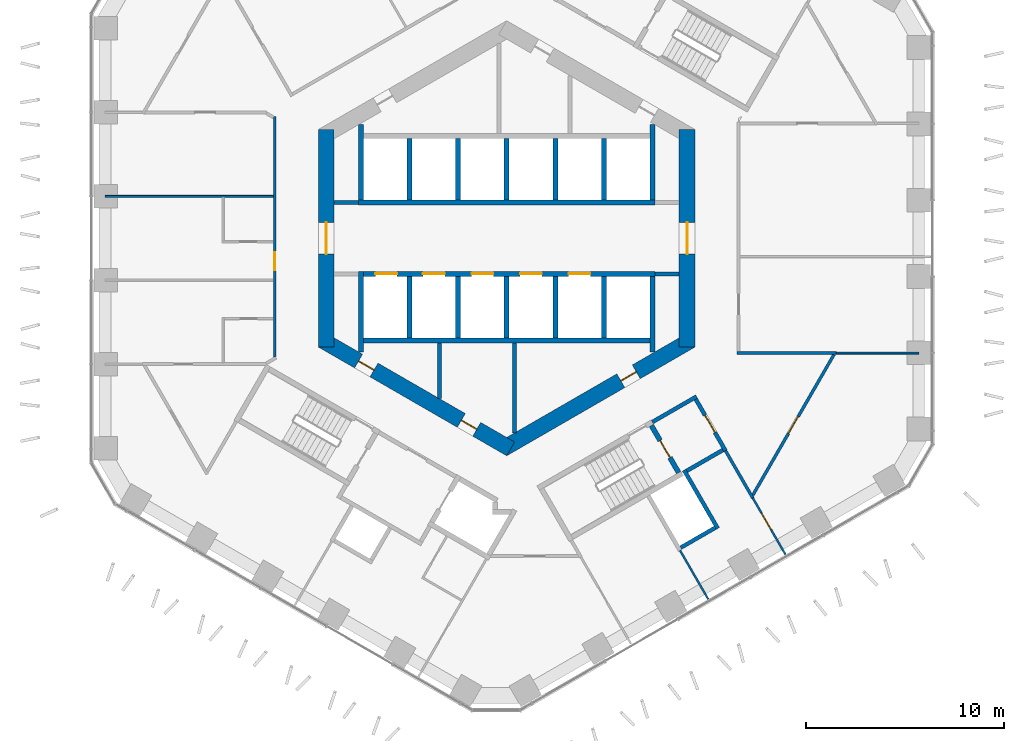
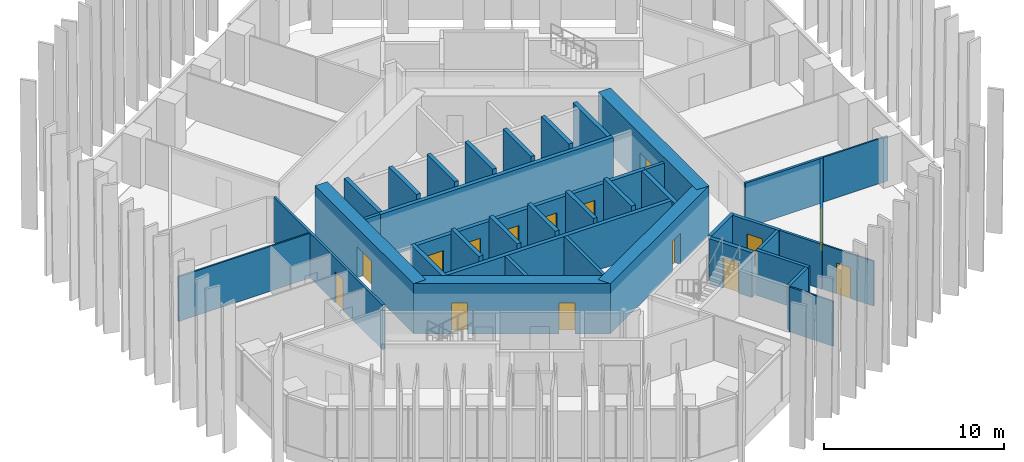
# One storey, part 13 of 19: 39 walls, 15 doors, 15 openings.
"""IFC4 building model written with IfcOpenShell, lengths in metres."""

import ifcopenshell
import ifcopenshell.guid

model = None  # the IFC model being written
_history = None  # IfcOwnerHistory: only IFC2X3 demands one
_inside = {}  # id of a spatial element -> (the spatial element, [elements in it])
_under = {}  # id of a project, library or spatial element -> (it, [spatial elements below it])
_declared = {}  # id of a project -> (the project, [libraries it declares])
_typed = {}  # id of a type object -> (the type object, [elements of that type])
_made_of = {}  # id of a material, layer set ... -> (it, [elements and type objects made of it])


def new_model(schema):
    """Start an empty IFC model of exactly this schema.

    Asked for "IFC4X3", IfcOpenShell would pick the latest addendum, in which some entities
    have other attributes; the version numbers below select the first issue.
    IFC2X3 requires an IfcOwnerHistory on every rooted entity: one is made here for all.
    """
    global model, _history
    if schema == "IFC4X3":
        model = ifcopenshell.file(schema_version=(4, 3, 0, 0))
    else:
        model = ifcopenshell.file(schema=schema)
    _inside.clear()
    _under.clear()
    _declared.clear()
    _typed.clear()
    _made_of.clear()
    _history = None
    if model.schema == "IFC2X3":
        org = make("IfcOrganization", Name="unknown")
        user = make(
            "IfcPersonAndOrganization",
            ThePerson=make("IfcPerson", FamilyName="unknown"),
            TheOrganization=org,
        )
        app = make(
            "IfcApplication",
            ApplicationDeveloper=org,
            Version="unknown",
            ApplicationFullName="unknown",
            ApplicationIdentifier="unknown",
        )
        _history = make(
            "IfcOwnerHistory",
            OwningUser=user,
            OwningApplication=app,
            ChangeAction="ADDED",
            CreationDate=0,
        )
    return model


def make(cls, **values):
    """One entity of the class cls with the attributes given. An attribute that is None is left unset."""
    return model.create_entity(
        cls, **{name: value for name, value in values.items() if value is not None}
    )


def rooted(cls, **values):
    """An entity with a GlobalId (a new one), such as an element, a storey or a relation."""
    return make(cls, GlobalId=ifcopenshell.guid.new(), OwnerHistory=_history, **values)


def si_unit(unit_type, name, prefix=None):
    """IfcSIUnit, for example si_unit("LENGTHUNIT", "METRE", prefix="MILLI")."""
    return make("IfcSIUnit", UnitType=unit_type, Prefix=prefix, Name=name)


def assignment(units):
    """IfcUnitAssignment: the units of a project."""
    return None if units is None else make("IfcUnitAssignment", Units=units)


def point(xyz):
    """IfcCartesianPoint."""
    return None if xyz is None else make("IfcCartesianPoint", Coordinates=xyz)


def direction(xyz):
    """IfcDirection."""
    return None if xyz is None else make("IfcDirection", DirectionRatios=xyz)


def frame(location, z_axis=None, x_axis=None):
    """IfcAxis2Placement3D, a coordinate frame: its origin and axes. An axis left out is left unset."""
    return make(
        "IfcAxis2Placement3D",
        Location=point(location),
        Axis=direction(z_axis),
        RefDirection=direction(x_axis),
    )


def frame_2d(location, x_axis=None):
    """IfcAxis2Placement2D, a coordinate frame in the plane: its origin and x axis."""
    return make(
        "IfcAxis2Placement2D", Location=point(location), RefDirection=direction(x_axis)
    )


def origin():
    """The frame at (0, 0, 0) with its axes left unset."""
    return frame((0.0, 0.0, 0.0))


def place(relative_to, where):
    """IfcLocalPlacement: puts the frame where relative to a parent placement (None: the world)."""
    return make(
        "IfcLocalPlacement", PlacementRelTo=relative_to, RelativePlacement=where
    )


def context(
    kind, dimensions, precision=None, world=None, true_north=None, identifier=None
):
    """IfcGeometricRepresentationContext, for example the 3D "Model" context."""
    return make(
        "IfcGeometricRepresentationContext",
        ContextIdentifier=identifier,
        ContextType=kind,
        CoordinateSpaceDimension=dimensions,
        Precision=precision,
        WorldCoordinateSystem=world,
        TrueNorth=true_north,
    )


def subcontext(parent, identifier, kind, view, scale=None):
    """IfcGeometricRepresentationSubContext, for example "Body" below "Model"."""
    return make(
        "IfcGeometricRepresentationSubContext",
        ContextIdentifier=identifier,
        ContextType=kind,
        ParentContext=parent,
        TargetScale=scale,
        TargetView=view,
    )


def project(units=None, contexts=None):
    """IfcProject with its units and contexts."""
    return rooted(
        "IfcProject",
        Name="project",
        RepresentationContexts=contexts,
        UnitsInContext=assignment(units),
    )


def spatial(cls, under=None, at=None, **own):
    """A site, building, storey or space (cls), placed at a placement, below another one or the project."""
    s = rooted(cls, ObjectPlacement=at, **own)
    if under is not None:
        _under.setdefault(under.id(), (under, []))[1].append(s)
    return s


def profile(cls, at=None, kind="AREA", **sizes):
    """A parametric profile (cls). Its sizes go by their IFC names, for example OverallWidth=200.0."""
    return make(cls, ProfileType=kind, Position=at, **sizes)


def rectangle(**sizes):
    """IfcRectangleProfileDef."""
    return profile("IfcRectangleProfileDef", **sizes)


def extrude(swept, where, along, depth):
    """IfcExtrudedAreaSolid: the profile swept, set in the frame where, extruded along a direction by depth."""
    return make(
        "IfcExtrudedAreaSolid",
        SweptArea=swept,
        Position=where,
        ExtrudedDirection=direction(along),
        Depth=depth,
    )


def shape(context_of_items, identifier, shape_type, items):
    """IfcShapeRepresentation: the items that make up one representation, for example the "Body"."""
    return make(
        "IfcShapeRepresentation",
        ContextOfItems=context_of_items,
        RepresentationIdentifier=identifier,
        RepresentationType=shape_type,
        Items=items,
    )


def material(Name=None, Category=None):
    """IfcMaterial."""
    return make("IfcMaterial", Name=Name, Category=Category)


def layer(
    of_material, thickness, ventilated=None, Name=None, Category=None, Priority=None
):
    """IfcMaterialLayer: one layer of a wall or slab, of a material (None: an air gap)."""
    return make(
        "IfcMaterialLayer",
        Material=of_material,
        LayerThickness=thickness,
        IsVentilated=ventilated,
        Name=Name,
        Category=Category,
        Priority=Priority,
    )


def layer_set(layers, Name=None):
    """IfcMaterialLayerSet."""
    return make("IfcMaterialLayerSet", MaterialLayers=layers, LayerSetName=Name)


def made_of(thing, what):
    """Note that an element or type object is made of a material, layer set ...; save() writes the relation."""
    if what is not None:
        _made_of.setdefault(what.id(), (what, []))[1].append(thing)
    return thing


def type_object(cls, material=None, **own):
    """A type object (cls), such as IfcWallType, which elements share."""
    return made_of(rooted(cls, **own), material)


def element(
    cls,
    number,
    at=None,
    inside=None,
    cuts=None,
    type_object=None,
    material=None,
    context=None,
    identifier="Body",
    shape_type=None,
    held_by="IfcProductDefinitionShape",
    body=None,
    shapes=None,
    **own,
):
    """One element of the class cls, such as IfcWall. Its Tag is "e" and its number.

    at: its placement. inside: the storey or other place that contains it. cuts: it is an
    opening in that element (IfcRelVoidsElement). A single representation is given by context,
    identifier, shape_type and body (its items); several are given by shapes. held_by: the class
    of the entity that holds the representations. save() writes the other relations.
    """
    e = rooted(cls, Tag="e%d" % number, ObjectPlacement=at, **own)
    if body is not None:
        shapes = [shape(context, identifier, shape_type, body)]
    if shapes is not None:
        e.Representation = make(held_by, Representations=shapes)
    if inside is not None:
        _inside.setdefault(inside.id(), (inside, []))[1].append(e)
    if cuts is not None:
        rooted(
            "IfcRelVoidsElement", RelatingBuildingElement=cuts, RelatedOpeningElement=e
        )
    if type_object is not None:
        _typed.setdefault(type_object.id(), (type_object, []))[1].append(e)
    return made_of(e, material)


def fill(opening, filler):
    """IfcRelFillsElement: the door or window that sits in an opening."""
    return rooted(
        "IfcRelFillsElement",
        RelatingOpeningElement=opening,
        RelatedBuildingElement=filler,
    )


def aggregate(whole, parts):
    """IfcRelAggregates: a whole, such as a stair, and the parts it consists of."""
    return rooted("IfcRelAggregates", RelatingObject=whole, RelatedObjects=parts)


def save(model, path):
    """Write the relations noted so far, then the file.

    IfcRelAggregates (storeys below a building ...), IfcRelContainedInSpatialStructure (elements
    in a storey), IfcRelDefinesByType, IfcRelAssociatesMaterial and IfcRelDeclares: one each for
    every whole, place, type object, material and project.
    """
    for whole, parts in _under.values():
        aggregate(whole, parts)
    for where, things in _inside.values():
        rooted(
            "IfcRelContainedInSpatialStructure",
            RelatedElements=things,
            RelatingStructure=where,
        )
    for kind, things in _typed.values():
        rooted("IfcRelDefinesByType", RelatedObjects=things, RelatingType=kind)
    for what, things in _made_of.values():
        rooted("IfcRelAssociatesMaterial", RelatedObjects=things, RelatingMaterial=what)
    for by, libraries in _declared.values():
        rooted("IfcRelDeclares", RelatingContext=by, RelatedDefinitions=libraries)
    model.write(path)


model = new_model("IFC4")

# Units and contexts
model_context = context("Model", 3, precision=1e-05, world=origin(), true_north=direction((0.0, 1.0)))
body_context = subcontext(model_context, "Body", "Model", "MODEL_VIEW")
ifc_project = project(units=[si_unit("LENGTHUNIT", "METRE"), si_unit("AREAUNIT", "SQUARE_METRE"), si_unit("VOLUMEUNIT", "CUBIC_METRE"), si_unit("PLANEANGLEUNIT", "RADIAN"), si_unit("MASSUNIT", "GRAM", prefix="KILO")], contexts=[model_context])

# Site, building, storey
site_placement = place(None, origin())
site = spatial("IfcSite", under=ifc_project, at=site_placement, CompositionType="ELEMENT")
building_placement = place(site_placement, origin())
building = spatial("IfcBuilding", under=site, at=building_placement, Name="Ayvan Gate Tower", CompositionType="ELEMENT")
storey_placement = place(building_placement, frame((0.0, 0.0, 56.10009765625)))
storey = spatial("IfcBuildingStorey", under=building, at=storey_placement, Name="L14", CompositionType="ELEMENT", Elevation=56.10009765625)

# Wall, opening, door
ifc_material_1 = material(Name="Concrete C70/85", Category="concrete")
ifc_layer_1 = layer(ifc_material_1, 0.800048828125)
ifc_layer_set_1 = layer_set([ifc_layer_1], Name="Concrete C70/85")
wall_type_1 = type_object("IfcWallType", Name="Core wall 800 C70/85", PredefinedType="SHEAR", material=ifc_layer_set_1)
wall_1_placement = place(storey_placement, frame((9.10009765625, -5.48486328125, 0.0), z_axis=(0.0, 0.0, 1.0), x_axis=(0.0, 1.0, 0.0)))
wall_1 = element("IfcWall", 1, at=wall_1_placement, inside=storey, type_object=wall_type_1, Name="CORE-L14-0", PredefinedType="SHEAR", context=body_context, shape_type="SweptSolid", body=[
    extrude(rectangle(XDim=10.9697265625, YDim=0.800048828125, at=frame_2d((5.48486328125, 0.0))), origin(), (0.0, 0.0, 1.0), 3.39990234375),
])
opening_1_placement = place(wall_1_placement, frame((4.684814453125, 0.0, 0.0)))
opening_1 = element("IfcOpeningElement", 2, at=opening_1_placement, cuts=wall_1, Name="Opening L14-D44", PredefinedType="OPENING", context=body_context, shape_type="SweptSolid", body=[
    extrude(rectangle(XDim=1.60009765625, YDim=2.10009765625, at=frame_2d((0.800048828125, 1.050048828125))), frame((0.0, 0.409912109375, 0.0), z_axis=(0.0, -1.0, 0.0), x_axis=(1.0, 0.0, 0.0)), (0.0, 0.0, 1.0), 0.820068359375),
])
ifc_material_2 = material(Name="Timber door leaf", Category="wood")
door_type_1 = type_object("IfcDoorType", Name="DT-1600", OperationType="NOTDEFINED", PredefinedType="DOOR", material=ifc_material_2)
door_1_placement = place(opening_1_placement, origin())
door_1 = element("IfcDoor", 3, at=door_1_placement, inside=storey, type_object=door_type_1, Name="CD-L14-44", OperationType="SINGLE_SWING_RIGHT", OverallHeight=2.10009765625, OverallWidth=1.60009765625, PredefinedType="DOOR", context=body_context, shape_type="SweptSolid", body=[
    extrude(rectangle(XDim=1.60009765625, YDim=2.10009765625, at=frame_2d((0.800048828125, 1.050048828125))), frame((0.0, 0.02490234375, 0.0), z_axis=(0.0, -1.0, 0.0), x_axis=(1.0, 0.0, 0.0)), (0.0, 0.0, 1.0), 0.050048828125),
])
fill(opening_1, door_1)

wall_2_placement = place(storey_placement, frame((-9.10009765625, 5.48486328125, 0.0), z_axis=(0.0, 0.0, 1.0), x_axis=(0.0, -1.0, 0.0)))
wall_2 = element("IfcWall", 4, at=wall_2_placement, inside=storey, type_object=wall_type_1, Name="CORE-L14-3", PredefinedType="SHEAR", context=body_context, shape_type="SweptSolid", body=[
    extrude(rectangle(XDim=10.9697265625, YDim=0.800048828125, at=frame_2d((5.48486328125, 0.0))), origin(), (0.0, 0.0, 1.0), 3.39990234375),
])
opening_2_placement = place(wall_2_placement, frame((4.684814453125, 0.0, 0.0)))
opening_2 = element("IfcOpeningElement", 5, at=opening_2_placement, cuts=wall_2, Name="Opening L14-D45", PredefinedType="OPENING", context=body_context, shape_type="SweptSolid", body=[
    extrude(rectangle(XDim=1.60009765625, YDim=2.10009765625, at=frame_2d((0.800048828125, 1.050048828125))), frame((0.0, 0.409912109375, 0.0), z_axis=(0.0, -1.0, 0.0), x_axis=(1.0, 0.0, 0.0)), (0.0, 0.0, 1.0), 0.820068359375),
])
door_2_placement = place(opening_2_placement, origin())
door_2 = element("IfcDoor", 6, at=door_2_placement, inside=storey, type_object=door_type_1, Name="CD-L14-45", OperationType="SINGLE_SWING_LEFT", OverallHeight=2.10009765625, OverallWidth=1.60009765625, PredefinedType="DOOR", context=body_context, shape_type="SweptSolid", body=[
    extrude(rectangle(XDim=1.60009765625, YDim=2.10009765625, at=frame_2d((0.800048828125, 1.050048828125))), frame((0.0, 0.02490234375, 0.0), z_axis=(0.0, -1.0, 0.0), x_axis=(1.0, 0.0, 0.0)), (0.0, 0.0, 1.0), 0.050048828125),
])
fill(opening_2, door_2)

# Wall, openings, doors
wall_3_placement = place(storey_placement, frame((-9.300048828125, -5.138427734375, 0.0), z_axis=(0.0, 0.0, 1.0), x_axis=(0.866023993627, -0.500002442456, 0.0)))
wall_3 = element("IfcWall", 7, at=wall_3_placement, inside=storey, type_object=wall_type_1, Name="CORE-L14-4", PredefinedType="SHEAR", context=body_context, shape_type="SweptSolid", body=[
    extrude(rectangle(XDim=10.9697265625, YDim=0.800048828125, at=frame_2d((5.48486328125, 0.0))), origin(), (0.0, 0.0, 1.0), 3.39990234375),
])
opening_3_placement = place(wall_3_placement, frame((2.1103515625, 0.0, 0.0)))
opening_3 = element("IfcOpeningElement", 8, at=opening_3_placement, cuts=wall_3, Name="Opening L14-D41", PredefinedType="OPENING", context=body_context, shape_type="SweptSolid", body=[
    extrude(rectangle(XDim=0.89990234375, YDim=2.10009765625, at=frame_2d((0.449951171875, 1.050048828125))), frame((0.0, 0.409912109375, 0.0), z_axis=(0.0, -1.0, 0.0), x_axis=(1.0, 0.0, 0.0)), (0.0, 0.0, 1.0), 0.820068359375),
])
opening_4_placement = place(wall_3_placement, frame((8.09423828125, 0.0, 0.0)))
opening_4 = element("IfcOpeningElement", 9, at=opening_4_placement, cuts=wall_3, Name="Opening L14-D42", PredefinedType="OPENING", context=body_context, shape_type="SweptSolid", body=[
    extrude(rectangle(XDim=0.89990234375, YDim=2.10009765625, at=frame_2d((0.449951171875, 1.050048828125))), frame((0.0, 0.409912109375, 0.0), z_axis=(0.0, -1.0, 0.0), x_axis=(1.0, 0.0, 0.0)), (0.0, 0.0, 1.0), 0.820068359375),
])
door_type_2 = type_object("IfcDoorType", Name="DT-900", OperationType="NOTDEFINED", PredefinedType="DOOR", material=ifc_material_2)
door_3_placement = place(opening_3_placement, origin())
door_3 = element("IfcDoor", 10, at=door_3_placement, inside=storey, type_object=door_type_2, Name="CD-L14-41", OperationType="SINGLE_SWING_LEFT", OverallHeight=2.10009765625, OverallWidth=0.89990234375, PredefinedType="DOOR", context=body_context, shape_type="SweptSolid", body=[
    extrude(rectangle(XDim=0.89990234375, YDim=2.10009765625, at=frame_2d((0.449951171875, 1.050048828125))), frame((0.0, 0.02490234375, 0.0), z_axis=(0.0, -1.0, 0.0), x_axis=(1.0, 0.0, 0.0)), (0.0, 0.0, 1.0), 0.050048828125),
])
fill(opening_3, door_3)
door_4_placement = place(opening_4_placement, origin())
door_4 = element("IfcDoor", 11, at=door_4_placement, inside=storey, type_object=door_type_2, Name="CD-L14-42", OperationType="SINGLE_SWING_RIGHT", OverallHeight=2.10009765625, OverallWidth=0.89990234375, PredefinedType="DOOR", context=body_context, shape_type="SweptSolid", body=[
    extrude(rectangle(XDim=0.89990234375, YDim=2.10009765625, at=frame_2d((0.449951171875, 1.050048828125))), frame((0.0, 0.02490234375, 0.0), z_axis=(0.0, -1.0, 0.0), x_axis=(1.0, 0.0, 0.0)), (0.0, 0.0, 1.0), 0.050048828125),
])
fill(opening_4, door_4)

# Wall, opening, door
wall_4_placement = place(storey_placement, frame((-0.199951171875, -10.623291015625, 0.0), z_axis=(0.0, 0.0, 1.0), x_axis=(0.866023993627, 0.500002442456, 0.0)))
wall_4 = element("IfcWall", 12, at=wall_4_placement, inside=storey, type_object=wall_type_1, Name="CORE-L14-5", PredefinedType="SHEAR", context=body_context, shape_type="SweptSolid", body=[
    extrude(rectangle(XDim=10.9697265625, YDim=0.800048828125, at=frame_2d((5.48486328125, 0.0))), origin(), (0.0, 0.0, 1.0), 3.39990234375),
])
opening_5_placement = place(wall_4_placement, frame((6.877197265625, 0.0, 0.0)))
opening_5 = element("IfcOpeningElement", 13, at=opening_5_placement, cuts=wall_4, Name="Opening L14-D43", PredefinedType="OPENING", context=body_context, shape_type="SweptSolid", body=[
    extrude(rectangle(XDim=0.89990234375, YDim=2.10009765625, at=frame_2d((0.449951171875, 1.050048828125))), frame((0.0, 0.409912109375, 0.0), z_axis=(0.0, -1.0, 0.0), x_axis=(1.0, 0.0, 0.0)), (0.0, 0.0, 1.0), 0.820068359375),
])
door_5_placement = place(opening_5_placement, origin())
door_5 = element("IfcDoor", 14, at=door_5_placement, inside=storey, type_object=door_type_2, Name="CD-L14-43", OperationType="SINGLE_SWING_LEFT", OverallHeight=2.10009765625, OverallWidth=0.89990234375, PredefinedType="DOOR", context=body_context, shape_type="SweptSolid", body=[
    extrude(rectangle(XDim=0.89990234375, YDim=2.10009765625, at=frame_2d((0.449951171875, 1.050048828125))), frame((0.0, 0.02490234375, 0.0), z_axis=(0.0, -1.0, 0.0), x_axis=(1.0, 0.0, 0.0)), (0.0, 0.0, 1.0), 0.050048828125),
])
fill(opening_5, door_5)

ifc_material_3 = material(Name="Plasterboard on steel stud", Category="steel")
ifc_layer_2 = layer(ifc_material_3, 0.14990234375)
ifc_layer_set_2 = layer_set([ifc_layer_2], Name="Plasterboard on steel stud")
wall_type_2 = type_object("IfcWallType", Name="WT-CORR-150", PredefinedType="PARTITIONING", material=ifc_layer_set_2)
wall_5_placement = place(storey_placement, frame((-11.699951171875, 6.13720703125, 0.0), z_axis=(0.0, 0.0, 1.0), x_axis=(0.0, -1.0, 0.0)))
wall_5 = element("IfcWall", 15, at=wall_5_placement, inside=storey, type_object=wall_type_2, Name="IW-L14-018", PredefinedType="PARTITIONING", context=body_context, shape_type="SweptSolid", body=[
    extrude(rectangle(XDim=12.12451171875, YDim=0.14990234375, at=frame_2d((6.062255859375, 0.0))), origin(), (0.0, 0.0, 1.0), 3.0498046875),
])
opening_6_placement = place(wall_5_placement, frame((6.837158203125, 0.0, 0.0)))
opening_6 = element("IfcOpeningElement", 16, at=opening_6_placement, cuts=wall_5, Name="Opening L14-D25", PredefinedType="OPENING", context=body_context, shape_type="SweptSolid", body=[
    extrude(rectangle(XDim=0.89990234375, YDim=2.10009765625, at=frame_2d((0.449951171875, 1.050048828125))), frame((0.0, 0.0849609375, 0.0), z_axis=(0.0, -1.0, 0.0), x_axis=(1.0, 0.0, 0.0)), (0.0, 0.0, 1.0), 0.169921875),
])
door_6_placement = place(opening_6_placement, origin())
door_6 = element("IfcDoor", 17, at=door_6_placement, inside=storey, type_object=door_type_2, Name="ID-L14-025", OperationType="SINGLE_SWING_LEFT", OverallHeight=2.10009765625, OverallWidth=0.89990234375, PredefinedType="DOOR", context=body_context, shape_type="SweptSolid", body=[
    extrude(rectangle(XDim=0.89990234375, YDim=2.10009765625, at=frame_2d((0.449951171875, 1.050048828125))), frame((0.0, 0.02490234375, 0.0), z_axis=(0.0, -1.0, 0.0), x_axis=(1.0, 0.0, 0.0)), (0.0, 0.0, 1.0), 0.050048828125),
])
fill(opening_6, door_6)

# Walls
wall_6_placement = place(storey_placement, frame((11.625, -5.790771484375, 0.0), z_axis=(0.0, 0.0, 1.0), x_axis=(1.0, 0.0, 0.0)))
element("IfcWall", 18, at=wall_6_placement, inside=storey, type_object=wall_type_2, Name="IW-L14-100", PredefinedType="PARTITIONING", context=body_context, shape_type="SweptSolid", body=[
    extrude(rectangle(XDim=4.99951171875, YDim=0.14990234375, at=frame_2d((2.499755859375, 0.0))), origin(), (0.0, 0.0, 1.0), 3.0498046875),
])
wall_7_placement = place(storey_placement, frame((12.40869140625, -13.092529296875, 0.0), z_axis=(0.0, 0.0, 1.0), x_axis=(-0.4999587362, 0.86604922614, 0.0)))
element("IfcWall", 19, at=wall_7_placement, inside=storey, type_object=wall_type_2, Name="IW-L14-104", PredefinedType="PARTITIONING", context=body_context, shape_type="SweptSolid", body=[
    extrude(rectangle(XDim=2.742919921875, YDim=0.14990234375, at=frame_2d((1.37158203125, 0.0))), origin(), (0.0, 0.0, 1.0), 3.0498046875),
])

# Wall, opening, door
wall_8_placement = place(storey_placement, frame((16.511962890625, -5.855712890625, 0.0), z_axis=(0.0, 0.0, 1.0), x_axis=(-0.500007444845, -0.866021105458, 0.0)))
wall_8 = element("IfcWall", 20, at=wall_8_placement, inside=storey, type_object=wall_type_2, Name="IW-L14-110", PredefinedType="PARTITIONING", context=body_context, shape_type="SweptSolid", body=[
    extrude(rectangle(XDim=8.206298828125, YDim=0.14990234375, at=frame_2d((4.10302734375, 0.0))), origin(), (0.0, 0.0, 1.0), 3.0498046875),
])
opening_7_placement = place(wall_8_placement, frame((3.603271484375, 0.0, 0.0)))
opening_7 = element("IfcOpeningElement", 21, at=opening_7_placement, cuts=wall_8, Name="Opening L14-D34", PredefinedType="OPENING", context=body_context, shape_type="SweptSolid", body=[
    extrude(rectangle(XDim=1.0, YDim=2.10009765625, at=frame_2d((0.5, 1.050048828125))), frame((0.0, 0.0849609375, 0.0), z_axis=(0.0, -1.0, 0.0), x_axis=(1.0, 0.0, 0.0)), (0.0, 0.0, 1.0), 0.169921875),
])
door_type_3 = type_object("IfcDoorType", Name="DT-1000", OperationType="NOTDEFINED", PredefinedType="DOOR", material=ifc_material_2)
door_7_placement = place(opening_7_placement, origin())
door_7 = element("IfcDoor", 22, at=door_7_placement, inside=storey, type_object=door_type_3, Name="ID-L14-034", OperationType="SINGLE_SWING_RIGHT", OverallHeight=2.10009765625, OverallWidth=1.0, PredefinedType="DOOR", context=body_context, shape_type="SweptSolid", body=[
    extrude(rectangle(XDim=1.0, YDim=2.10009765625, at=frame_2d((0.5, 1.050048828125))), frame((0.0, 0.02490234375, 0.0), z_axis=(0.0, -1.0, 0.0), x_axis=(1.0, 0.0, 0.0)), (0.0, 0.0, 1.0), 0.050048828125),
])
fill(opening_7, door_7)

# Walls
ifc_layer_3 = layer(ifc_material_3, 0.10009765625)
ifc_layer_set_3 = layer_set([ifc_layer_3], Name="Plasterboard on steel stud")
wall_type_3 = type_object("IfcWallType", Name="WT-PART-100", PredefinedType="PARTITIONING", material=ifc_layer_set_3)
wall_9_placement = place(storey_placement, frame((-20.25048828125, 2.115234375, 0.0), z_axis=(0.0, 0.0, 1.0), x_axis=(1.0, 0.0, 0.0)))
element("IfcWall", 23, at=wall_9_placement, inside=storey, type_object=wall_type_3, Name="IW-L14-010", PredefinedType="PARTITIONING", context=body_context, shape_type="SweptSolid", body=[
    extrude(rectangle(XDim=8.4755859375, YDim=0.10009765625, at=frame_2d((4.23779296875, 0.0))), origin(), (0.0, 0.0, 1.0), 3.0498046875),
])
wall_10_placement = place(storey_placement, frame((8.739990234375, -15.73828125, 0.0), z_axis=(0.0, 0.0, 1.0), x_axis=(0.499994660107, -0.866028486751, 0.0)))
element("IfcWall", 24, at=wall_10_placement, inside=storey, type_object=wall_type_3, Name="IW-L14-092", PredefinedType="PARTITIONING", context=body_context, shape_type="SweptSolid", body=[
    extrude(rectangle(XDim=2.8466796875, YDim=0.10009765625, at=frame_2d((1.42333984375, 0.0))), origin(), (0.0, 0.0, 1.0), 3.0498046875),
])

# Wall, opening, door
wall_11_placement = place(storey_placement, frame((14.060546875, -15.95361328125, 0.0), z_axis=(0.0, 0.0, 1.0), x_axis=(-0.500001784407, 0.866024373554, 0.0)))
wall_11 = element("IfcWall", 25, at=wall_11_placement, inside=storey, type_object=wall_type_3, Name="IW-L14-107", PredefinedType="PARTITIONING", context=body_context, shape_type="SweptSolid", body=[
    extrude(rectangle(XDim=3.3037109375, YDim=0.10009765625, at=frame_2d((1.65185546875, 0.0))), origin(), (0.0, 0.0, 1.0), 3.0498046875),
])
opening_8_placement = place(wall_11_placement, frame((1.5, 0.0, 0.0)))
opening_8 = element("IfcOpeningElement", 26, at=opening_8_placement, cuts=wall_11, Name="Opening L14-D35", PredefinedType="OPENING", context=body_context, shape_type="SweptSolid", body=[
    extrude(rectangle(XDim=0.89990234375, YDim=2.10009765625, at=frame_2d((0.449951171875, 1.050048828125))), frame((0.0, 0.06005859375, 0.0), z_axis=(0.0, -1.0, 0.0), x_axis=(1.0, 0.0, 0.0)), (0.0, 0.0, 1.0), 0.1201171875),
])
door_8_placement = place(opening_8_placement, origin())
door_8 = element("IfcDoor", 27, at=door_8_placement, inside=storey, type_object=door_type_2, Name="ID-L14-035", OperationType="SINGLE_SWING_LEFT", OverallHeight=2.10009765625, OverallWidth=0.89990234375, PredefinedType="DOOR", context=body_context, shape_type="SweptSolid", body=[
    extrude(rectangle(XDim=0.89990234375, YDim=2.10009765625, at=frame_2d((0.449951171875, 1.050048828125))), frame((0.0, 0.02490234375, 0.0), z_axis=(0.0, -1.0, 0.0), x_axis=(1.0, 0.0, 0.0)), (0.0, 0.0, 1.0), 0.050048828125),
])
fill(opening_8, door_8)

# Walls
wall_12_placement = place(storey_placement, frame((20.78466796875, -5.790771484375, 0.0), z_axis=(0.0, 0.0, 1.0), x_axis=(-1.0, 0.0, 0.0)))
element("IfcWall", 28, at=wall_12_placement, inside=storey, type_object=wall_type_3, Name="IW-L14-113", PredefinedType="PARTITIONING", context=body_context, shape_type="SweptSolid", body=[
    extrude(rectangle(XDim=4.16015625, YDim=0.10009765625, at=frame_2d((2.080078125, 0.0))), origin(), (0.0, 0.0, 1.0), 3.0498046875),
])
ifc_layer_4 = layer(ifc_material_3, 0.199951171875)
ifc_layer_set_4 = layer_set([ifc_layer_4], Name="Plasterboard on steel stud")
wall_type_4 = type_object("IfcWallType", Name="WT-PLUMB-200", PredefinedType="PLUMBINGWALL", material=ifc_layer_set_4)
wall_13_placement = place(storey_placement, frame((8.9453125, -11.694091796875, 0.0), z_axis=(0.0, 0.0, 1.0), x_axis=(0.500062241894, -0.865989465428, 0.0)))
element("IfcWall", 29, at=wall_13_placement, inside=storey, type_object=wall_type_4, Name="IW-L14-095", PredefinedType="PLUMBINGWALL", context=body_context, shape_type="SweptSolid", body=[
    extrude(rectangle(XDim=3.39990234375, YDim=0.199951171875, at=frame_2d((1.699951171875, 0.0))), origin(), (0.0, 0.0, 1.0), 3.0498046875),
])
wall_14_placement = place(storey_placement, frame((10.5087890625, -14.601806640625, 0.0), z_axis=(0.0, 0.0, 1.0), x_axis=(-0.866010750942, -0.50002537861, 0.0)))
element("IfcWall", 30, at=wall_14_placement, inside=storey, type_object=wall_type_4, Name="IW-L14-098", PredefinedType="PLUMBINGWALL", context=body_context, shape_type="SweptSolid", body=[
    extrude(rectangle(XDim=2.0, YDim=0.199951171875, at=frame_2d((1.0, 0.0))), origin(), (0.0, 0.0, 1.0), 3.0498046875),
])
ifc_layer_5 = layer(ifc_material_3, 0.199951171875)
ifc_layer_set_5 = layer_set([ifc_layer_5], Name="Plasterboard on steel stud")
wall_type_5 = type_object("IfcWallType", Name="WT-RATED-200", PredefinedType="PARTITIONING", material=ifc_layer_set_5)
wall_15_placement = place(storey_placement, frame((-8.699951171875, 1.800048828125, 0.0), z_axis=(0.0, 0.0, 1.0), x_axis=(1.0, 0.0, 0.0)))
element("IfcWall", 31, at=wall_15_placement, inside=storey, type_object=wall_type_5, Name="IW-L14-022", PredefinedType="PARTITIONING", context=body_context, shape_type="SweptSolid", body=[
    extrude(rectangle(XDim=1.22509765625, YDim=0.199951171875, at=frame_2d((0.612548828125, 0.0))), origin(), (0.0, 0.0, 1.0), 3.0498046875),
])
wall_16_placement = place(storey_placement, frame((-3.39990234375, -5.27490234375, 0.0), z_axis=(0.0, 0.0, 1.0), x_axis=(0.0, -1.0, 0.0)))
element("IfcWall", 32, at=wall_16_placement, inside=storey, type_object=wall_type_5, Name="IW-L14-044", PredefinedType="PARTITIONING", context=body_context, shape_type="SweptSolid", body=[
    extrude(rectangle(XDim=2.80810546875, YDim=0.199951171875, at=frame_2d((1.404052734375, 0.0))), origin(), (0.0, 0.0, 1.0), 3.0498046875),
])
wall_17_placement = place(storey_placement, frame((0.39990234375, -5.27490234375, 0.0), z_axis=(0.0, 0.0, 1.0), x_axis=(0.0, -1.0, 0.0)))
element("IfcWall", 33, at=wall_17_placement, inside=storey, type_object=wall_type_5, Name="IW-L14-061", PredefinedType="PARTITIONING", context=body_context, shape_type="SweptSolid", body=[
    extrude(rectangle(XDim=4.5400390625, YDim=0.199951171875, at=frame_2d((2.27001953125, 0.0))), origin(), (0.0, 0.0, 1.0), 3.0498046875),
])
wall_18_placement = place(storey_placement, frame((7.343994140625, -9.27001953125, 0.0), z_axis=(0.0, 0.0, 1.0), x_axis=(0.866005588531, 0.500034319456, 0.0)))
element("IfcWall", 34, at=wall_18_placement, inside=storey, type_object=wall_type_5, Name="IW-L14-085", PredefinedType="PARTITIONING", context=body_context, shape_type="SweptSolid", body=[
    extrude(rectangle(XDim=2.574951171875, YDim=0.199951171875, at=frame_2d((1.28759765625, 0.0))), origin(), (0.0, 0.0, 1.0), 3.0498046875),
])
wall_19_placement = place(storey_placement, frame((8.699951171875, -1.800048828125, 0.0), z_axis=(0.0, 0.0, 1.0), x_axis=(-1.0, 0.0, 0.0)))
element("IfcWall", 35, at=wall_19_placement, inside=storey, type_object=wall_type_5, Name="IW-L14-094", PredefinedType="PARTITIONING", context=body_context, shape_type="SweptSolid", body=[
    extrude(rectangle(XDim=1.22509765625, YDim=0.199951171875, at=frame_2d((0.612548828125, 0.0))), origin(), (0.0, 0.0, 1.0), 3.0498046875),
])

# Wall, opening, door
wall_20_placement = place(storey_placement, frame((9.537353515625, -8.119140625, 0.0), z_axis=(0.0, 0.0, 1.0), x_axis=(0.499990139034, -0.866031096941, 0.0)))
wall_20 = element("IfcWall", 36, at=wall_20_placement, inside=storey, type_object=wall_type_5, Name="IW-L14-097", PredefinedType="PARTITIONING", context=body_context, shape_type="SweptSolid", body=[
    extrude(rectangle(XDim=3.0, YDim=0.199951171875, at=frame_2d((1.5, 0.0))), origin(), (0.0, 0.0, 1.0), 3.0498046875),
])
opening_9_placement = place(wall_20_placement, frame((0.93505859375, 0.0, 0.0)))
opening_9 = element("IfcOpeningElement", 37, at=opening_9_placement, cuts=wall_20, Name="Opening L14-D15", PredefinedType="OPENING", context=body_context, shape_type="SweptSolid", body=[
    extrude(rectangle(XDim=1.0, YDim=2.10009765625, at=frame_2d((0.5, 1.050048828125))), frame((0.0, 0.10986328125, 0.0), z_axis=(0.0, -1.0, 0.0), x_axis=(1.0, 0.0, 0.0)), (0.0, 0.0, 1.0), 0.219970703125),
])
door_9_placement = place(opening_9_placement, origin())
door_9 = element("IfcDoor", 38, at=door_9_placement, inside=storey, type_object=door_type_3, Name="ID-L14-015", OperationType="SINGLE_SWING_LEFT", OverallHeight=2.10009765625, OverallWidth=1.0, PredefinedType="DOOR", context=body_context, shape_type="SweptSolid", body=[
    extrude(rectangle(XDim=1.0, YDim=2.10009765625, at=frame_2d((0.5, 1.050048828125))), frame((0.0, 0.02490234375, 0.0), z_axis=(0.0, -1.0, 0.0), x_axis=(1.0, 0.0, 0.0)), (0.0, 0.0, 1.0), 0.050048828125),
])
fill(opening_9, door_9)

# Walls
wall_21_placement = place(storey_placement, frame((10.900634765625, -10.6806640625, 0.0), z_axis=(0.0, 0.0, 1.0), x_axis=(-0.866009402589, -0.500027713859, 0.0)))
element("IfcWall", 39, at=wall_21_placement, inside=storey, type_object=wall_type_5, Name="IW-L14-099", PredefinedType="PARTITIONING", context=body_context, shape_type="SweptSolid", body=[
    extrude(rectangle(XDim=2.10009765625, YDim=0.199951171875, at=frame_2d((1.050048828125, 0.0))), origin(), (0.0, 0.0, 1.0), 3.0498046875),
])
ifc_material_4 = material(Name="Concrete C50/60", Category="concrete")
ifc_layer_6 = layer(ifc_material_4, 0.25)
ifc_layer_set_6 = layer_set([ifc_layer_6], Name="Concrete C50/60")
wall_type_6 = type_object("IfcWallType", Name="WT-RC-250", PredefinedType="SHEAR", material=ifc_layer_set_6)
wall_22_placement = place(storey_placement, frame((-7.47509765625, 1.800048828125, 0.0), z_axis=(0.0, 0.0, 1.0), x_axis=(1.0, 0.0, 0.0)))
element("IfcWall", 40, at=wall_22_placement, inside=storey, type_object=wall_type_6, Name="IW-L14-027", PredefinedType="SHEAR", context=body_context, shape_type="SweptSolid", body=[
    extrude(rectangle(XDim=14.9501953125, YDim=0.25, at=frame_2d((7.47509765625, 0.0))), origin(), (0.0, 0.0, 1.0), 3.0498046875),
])
wall_23_placement = place(storey_placement, frame((-7.35009765625, -5.730224609375, 0.0), z_axis=(0.0, 0.0, 1.0), x_axis=(0.0, 1.0, 0.0)))
element("IfcWall", 41, at=wall_23_placement, inside=storey, type_object=wall_type_6, Name="IW-L14-028", PredefinedType="SHEAR", context=body_context, shape_type="SweptSolid", body=[
    extrude(rectangle(XDim=4.05517578125, YDim=0.25, at=frame_2d((2.027587890625, 0.0))), origin(), (0.0, 0.0, 1.0), 3.0498046875),
])
wall_24_placement = place(storey_placement, frame((-7.35009765625, 1.925048828125, 0.0), z_axis=(0.0, 0.0, 1.0), x_axis=(0.0, 1.0, 0.0)))
element("IfcWall", 42, at=wall_24_placement, inside=storey, type_object=wall_type_6, Name="IW-L14-029", PredefinedType="SHEAR", context=body_context, shape_type="SweptSolid", body=[
    extrude(rectangle(XDim=3.80517578125, YDim=0.25, at=frame_2d((1.902587890625, 0.0))), origin(), (0.0, 0.0, 1.0), 3.0498046875),
])
wall_25_placement = place(storey_placement, frame((-7.22509765625, -5.14990234375, 0.0), z_axis=(0.0, 0.0, 1.0), x_axis=(1.0, 0.0, 0.0)))
element("IfcWall", 43, at=wall_25_placement, inside=storey, type_object=wall_type_6, Name="IW-L14-037", PredefinedType="SHEAR", context=body_context, shape_type="SweptSolid", body=[
    extrude(rectangle(XDim=14.7001953125, YDim=0.25, at=frame_2d((7.35009765625, 0.0))), origin(), (0.0, 0.0, 1.0), 3.0498046875),
])
for number, where, z_axis, x_axis, name in (
    (44, (-4.89990234375, -1.925048828125, 0.0), (0.0, 0.0, 1.0), (0.0, -1.0, 0.0), "IW-L14-038"),
    (45, (-4.89990234375, 5.02490234375, 0.0), (0.0, 0.0, 1.0), (0.0, -1.0, 0.0), "IW-L14-039"),
):
    element("IfcWall", number, at=place(storey_placement, frame(where, z_axis=z_axis, x_axis=x_axis)), inside=storey, type_object=wall_type_6, Name=name, PredefinedType="SHEAR", context=body_context, shape_type="SweptSolid", body=[
        extrude(rectangle(XDim=3.099853515625, YDim=0.25, at=frame_2d((1.5498046875, 0.0))), origin(), (0.0, 0.0, 1.0), 3.39990234375),
    ])

# Wall, openings, doors
wall_26_placement = place(storey_placement, frame((-7.22509765625, -1.800048828125, 0.0), z_axis=(0.0, 0.0, 1.0), x_axis=(1.0, 0.0, 0.0)))
wall_26 = element("IfcWall", 46, at=wall_26_placement, inside=storey, type_object=wall_type_6, Name="IW-L14-040", PredefinedType="SHEAR", context=body_context, shape_type="SweptSolid", body=[
    extrude(rectangle(XDim=14.7001953125, YDim=0.25, at=frame_2d((7.35009765625, 0.0))), origin(), (0.0, 0.0, 1.0), 3.0498046875),
])
opening_10_placement = place(wall_26_placement, frame((0.597412109375, 0.0, 0.0)))
opening_10 = element("IfcOpeningElement", 47, at=opening_10_placement, cuts=wall_26, Name="Opening L14-LD-LR1", PredefinedType="OPENING", context=body_context, shape_type="SweptSolid", body=[
    extrude(rectangle(XDim=1.10009765625, YDim=2.10009765625, at=frame_2d((0.550048828125, 1.050048828125))), frame((0.0, 0.135009765625, 0.0), z_axis=(0.0, -1.0, 0.0), x_axis=(1.0, 0.0, 0.0)), (0.0, 0.0, 1.0), 0.27001953125),
])
opening_11_placement = place(wall_26_placement, frame((3.0, 0.0, 0.0)))
opening_11 = element("IfcOpeningElement", 48, at=opening_11_placement, cuts=wall_26, Name="Opening L14-LD-LR2", PredefinedType="OPENING", context=body_context, shape_type="SweptSolid", body=[
    extrude(rectangle(XDim=1.10009765625, YDim=2.10009765625, at=frame_2d((0.550048828125, 1.050048828125))), frame((0.0, 0.135009765625, 0.0), z_axis=(0.0, -1.0, 0.0), x_axis=(1.0, 0.0, 0.0)), (0.0, 0.0, 1.0), 0.27001953125),
])
opening_12_placement = place(wall_26_placement, frame((5.4501953125, 0.0, 0.0)))
opening_12 = element("IfcOpeningElement", 49, at=opening_12_placement, cuts=wall_26, Name="Opening L14-LD-LR3", PredefinedType="OPENING", context=body_context, shape_type="SweptSolid", body=[
    extrude(rectangle(XDim=1.10009765625, YDim=2.10009765625, at=frame_2d((0.550048828125, 1.050048828125))), frame((0.0, 0.135009765625, 0.0), z_axis=(0.0, -1.0, 0.0), x_axis=(1.0, 0.0, 0.0)), (0.0, 0.0, 1.0), 0.27001953125),
])
opening_13_placement = place(wall_26_placement, frame((7.900146484375, 0.0, 0.0)))
opening_13 = element("IfcOpeningElement", 50, at=opening_13_placement, cuts=wall_26, Name="Opening L14-LD-LR4", PredefinedType="OPENING", context=body_context, shape_type="SweptSolid", body=[
    extrude(rectangle(XDim=1.10009765625, YDim=2.10009765625, at=frame_2d((0.550048828125, 1.050048828125))), frame((0.0, 0.135009765625, 0.0), z_axis=(0.0, -1.0, 0.0), x_axis=(1.0, 0.0, 0.0)), (0.0, 0.0, 1.0), 0.27001953125),
])
opening_14_placement = place(wall_26_placement, frame((10.35009765625, 0.0, 0.0)))
opening_14 = element("IfcOpeningElement", 51, at=opening_14_placement, cuts=wall_26, Name="Opening L14-LD-SV", PredefinedType="OPENING", context=body_context, shape_type="SweptSolid", body=[
    extrude(rectangle(XDim=1.10009765625, YDim=2.10009765625, at=frame_2d((0.550048828125, 1.050048828125))), frame((0.0, 0.135009765625, 0.0), z_axis=(0.0, -1.0, 0.0), x_axis=(1.0, 0.0, 0.0)), (0.0, 0.0, 1.0), 0.27001953125),
])
ifc_material_5 = material(Name="Stainless steel landing door", Category="steel")
door_type_4 = type_object("IfcDoorType", Name="DT-LANDING-1100", OperationType="SLIDING_TO_LEFT", PredefinedType="DOOR", material=ifc_material_5)
door_10_placement = place(opening_10_placement, origin())
door_10 = element("IfcDoor", 52, at=door_10_placement, inside=storey, type_object=door_type_4, Name="ID-L14-001", OperationType="SLIDING_TO_LEFT", OverallHeight=2.10009765625, OverallWidth=1.10009765625, PredefinedType="DOOR", context=body_context, shape_type="SweptSolid", body=[
    extrude(rectangle(XDim=1.10009765625, YDim=2.10009765625, at=frame_2d((0.550048828125, 1.050048828125))), frame((0.0, 0.02490234375, 0.0), z_axis=(0.0, -1.0, 0.0), x_axis=(1.0, 0.0, 0.0)), (0.0, 0.0, 1.0), 0.050048828125),
])
fill(opening_10, door_10)
door_11_placement = place(opening_11_placement, origin())
door_11 = element("IfcDoor", 53, at=door_11_placement, inside=storey, type_object=door_type_4, Name="ID-L14-002", OperationType="SLIDING_TO_LEFT", OverallHeight=2.10009765625, OverallWidth=1.10009765625, PredefinedType="DOOR", context=body_context, shape_type="SweptSolid", body=[
    extrude(rectangle(XDim=1.10009765625, YDim=2.10009765625, at=frame_2d((0.550048828125, 1.050048828125))), frame((0.0, 0.02490234375, 0.0), z_axis=(0.0, -1.0, 0.0), x_axis=(1.0, 0.0, 0.0)), (0.0, 0.0, 1.0), 0.050048828125),
])
fill(opening_11, door_11)
door_12_placement = place(opening_12_placement, origin())
door_12 = element("IfcDoor", 54, at=door_12_placement, inside=storey, type_object=door_type_4, Name="ID-L14-003", OperationType="SLIDING_TO_LEFT", OverallHeight=2.10009765625, OverallWidth=1.10009765625, PredefinedType="DOOR", context=body_context, shape_type="SweptSolid", body=[
    extrude(rectangle(XDim=1.10009765625, YDim=2.10009765625, at=frame_2d((0.550048828125, 1.050048828125))), frame((0.0, 0.02490234375, 0.0), z_axis=(0.0, -1.0, 0.0), x_axis=(1.0, 0.0, 0.0)), (0.0, 0.0, 1.0), 0.050048828125),
])
fill(opening_12, door_12)
door_13_placement = place(opening_13_placement, origin())
door_13 = element("IfcDoor", 55, at=door_13_placement, inside=storey, type_object=door_type_4, Name="ID-L14-004", OperationType="SLIDING_TO_LEFT", OverallHeight=2.10009765625, OverallWidth=1.10009765625, PredefinedType="DOOR", context=body_context, shape_type="SweptSolid", body=[
    extrude(rectangle(XDim=1.10009765625, YDim=2.10009765625, at=frame_2d((0.550048828125, 1.050048828125))), frame((0.0, 0.02490234375, 0.0), z_axis=(0.0, -1.0, 0.0), x_axis=(1.0, 0.0, 0.0)), (0.0, 0.0, 1.0), 0.050048828125),
])
fill(opening_13, door_13)
door_14_placement = place(opening_14_placement, origin())
door_14 = element("IfcDoor", 56, at=door_14_placement, inside=storey, type_object=door_type_4, Name="ID-L14-005", OperationType="SLIDING_TO_LEFT", OverallHeight=2.10009765625, OverallWidth=1.10009765625, PredefinedType="DOOR", context=body_context, shape_type="SweptSolid", body=[
    extrude(rectangle(XDim=1.10009765625, YDim=2.10009765625, at=frame_2d((0.550048828125, 1.050048828125))), frame((0.0, 0.02490234375, 0.0), z_axis=(0.0, -1.0, 0.0), x_axis=(1.0, 0.0, 0.0)), (0.0, 0.0, 1.0), 0.050048828125),
])
fill(opening_14, door_14)

# Walls
for number, where, z_axis, x_axis, name in (
    (57, (-2.449951171875, -1.925048828125, 0.0), (0.0, 0.0, 1.0), (0.0, -1.0, 0.0), "IW-L14-051"),
    (58, (-2.449951171875, 5.02490234375, 0.0), (0.0, 0.0, 1.0), (0.0, -1.0, 0.0), "IW-L14-052"),
    (59, (0.0, -1.925048828125, 0.0), (0.0, 0.0, 1.0), (0.0, -1.0, 0.0), "IW-L14-059"),
    (60, (0.0, 5.02490234375, 0.0), (0.0, 0.0, 1.0), (0.0, -1.0, 0.0), "IW-L14-060"),
    (61, (2.449951171875, -1.925048828125, 0.0), (0.0, 0.0, 1.0), (0.0, -1.0, 0.0), "IW-L14-067"),
    (62, (2.449951171875, 5.02490234375, 0.0), (0.0, 0.0, 1.0), (0.0, -1.0, 0.0), "IW-L14-068"),
    (63, (4.89990234375, -1.925048828125, 0.0), (0.0, 0.0, 1.0), (0.0, -1.0, 0.0), "IW-L14-079"),
    (64, (4.89990234375, 5.02490234375, 0.0), (0.0, 0.0, 1.0), (0.0, -1.0, 0.0), "IW-L14-080"),
):
    element("IfcWall", number, at=place(storey_placement, frame(where, z_axis=z_axis, x_axis=x_axis)), inside=storey, type_object=wall_type_6, Name=name, PredefinedType="SHEAR", context=body_context, shape_type="SweptSolid", body=[
        extrude(rectangle(XDim=3.099853515625, YDim=0.25, at=frame_2d((1.5498046875, 0.0))), origin(), (0.0, 0.0, 1.0), 3.39990234375),
    ])

# Wall, opening, door
wall_27_placement = place(storey_placement, frame((7.298095703125, -9.44091796875, 0.0), z_axis=(0.0, 0.0, 1.0), x_axis=(0.500034990121, -0.866005201286, 0.0)))
wall_27 = element("IfcWall", 65, at=wall_27_placement, inside=storey, type_object=wall_type_6, Name="IW-L14-084", PredefinedType="SHEAR", context=body_context, shape_type="SweptSolid", body=[
    extrude(rectangle(XDim=2.749755859375, YDim=0.25, at=frame_2d((1.375, 0.0))), origin(), (0.0, 0.0, 1.0), 3.0498046875),
])
opening_15_placement = place(wall_27_placement, frame((0.875, 0.0, 0.0)))
opening_15 = element("IfcOpeningElement", 66, at=opening_15_placement, cuts=wall_27, Name="Opening L14-D16", PredefinedType="OPENING", context=body_context, shape_type="SweptSolid", body=[
    extrude(rectangle(XDim=1.0, YDim=2.10009765625, at=frame_2d((0.5, 1.050048828125))), frame((0.0, 0.135009765625, 0.0), z_axis=(0.0, -1.0, 0.0), x_axis=(1.0, 0.0, 0.0)), (0.0, 0.0, 1.0), 0.27001953125),
])
door_15_placement = place(opening_15_placement, origin())
door_15 = element("IfcDoor", 67, at=door_15_placement, inside=storey, type_object=door_type_3, Name="ID-L14-016", OperationType="SINGLE_SWING_RIGHT", OverallHeight=2.10009765625, OverallWidth=1.0, PredefinedType="DOOR", context=body_context, shape_type="SweptSolid", body=[
    extrude(rectangle(XDim=1.0, YDim=2.10009765625, at=frame_2d((0.5, 1.050048828125))), frame((0.0, 0.02490234375, 0.0), z_axis=(0.0, -1.0, 0.0), x_axis=(1.0, 0.0, 0.0)), (0.0, 0.0, 1.0), 0.050048828125),
])
fill(opening_15, door_15)

# Walls
for number, where, z_axis, x_axis, name in (
    (68, (7.35009765625, -1.925048828125, 0.0), (0.0, 0.0, 1.0), (0.0, -1.0, 0.0), "IW-L14-087"),
    (69, (7.35009765625, 5.730224609375, 0.0), (0.0, 0.0, 1.0), (0.0, -1.0, 0.0), "IW-L14-088"),
):
    element("IfcWall", number, at=place(storey_placement, frame(where, z_axis=z_axis, x_axis=x_axis)), inside=storey, type_object=wall_type_6, Name=name, PredefinedType="SHEAR", context=body_context, shape_type="SweptSolid", body=[
        extrude(rectangle(XDim=3.80517578125, YDim=0.25, at=frame_2d((1.902587890625, 0.0))), origin(), (0.0, 0.0, 1.0), 3.0498046875),
    ])

save(model, "model.ifc")
